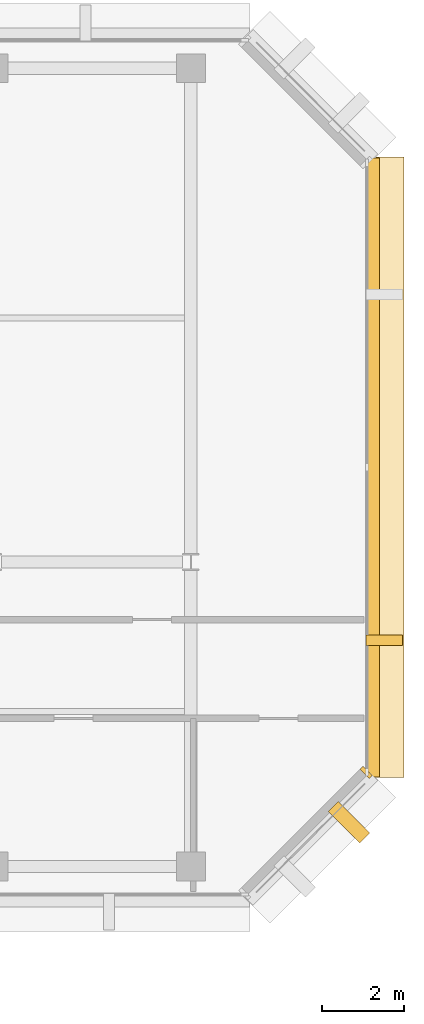
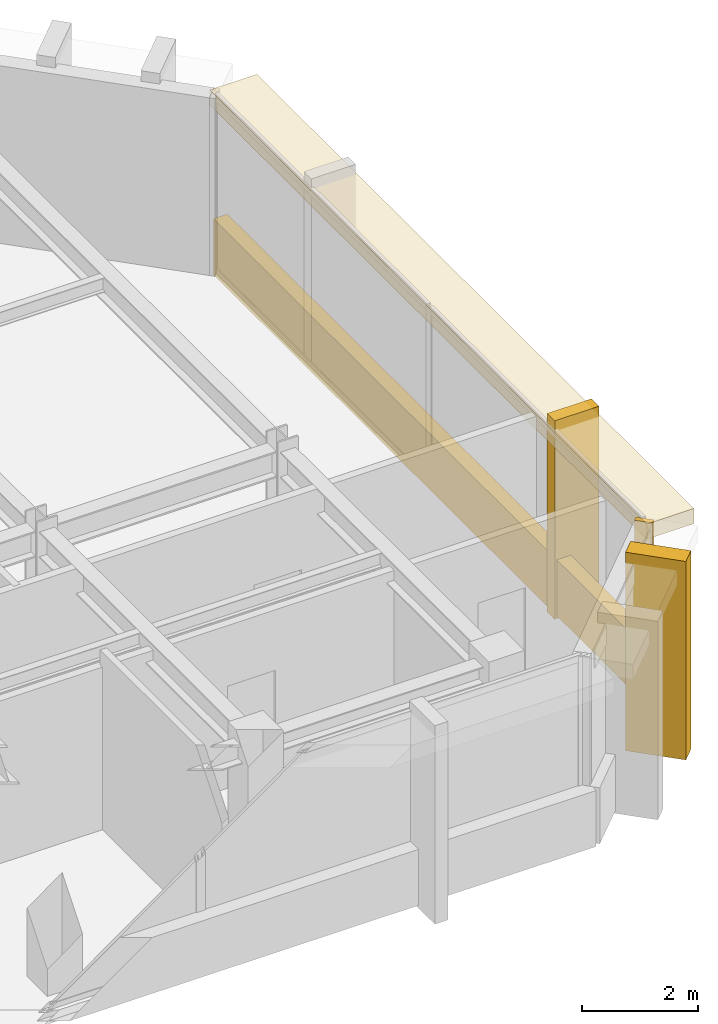
# One storey, part 10 of 12: 5 coverings.
"""IFC4 building model written with IfcOpenShell, lengths in metres."""

from ifc_helpers import new_model, si_unit, direction, frame, origin, origin_2d, place, context, subcontext, project, spatial, rectangle, extrude, material, layer, layer_set, type_object, element, save


model = new_model("IFC4")

# Units and contexts
model_context = context("Model", 3, precision=1e-05, world=origin(), true_north=direction((0.0, 1.0)))
body_context = subcontext(model_context, "Body", "Model", "MODEL_VIEW")
ifc_project = project(units=[si_unit("LENGTHUNIT", "METRE"), si_unit("AREAUNIT", "SQUARE_METRE"), si_unit("VOLUMEUNIT", "CUBIC_METRE"), si_unit("PLANEANGLEUNIT", "RADIAN"), si_unit("MASSUNIT", "GRAM", prefix="KILO")], contexts=[model_context])

# Site, building, storey
site_placement = place(None, origin())
site = spatial("IfcSite", under=ifc_project, at=site_placement, CompositionType="ELEMENT")
building_placement = place(site_placement, origin())
building = spatial("IfcBuilding", under=site, at=building_placement, Name="Kefirva Bronze Tower", CompositionType="ELEMENT")
storey_placement = place(building_placement, frame((0.0, 0.0, 280.169921875)))
storey = spatial("IfcBuildingStorey", under=building, at=storey_placement, Name="L68", CompositionType="ELEMENT", Elevation=280.169921875)

# Coverings
ifc_material = material(Name="Bronze anodised aluminium", Category="aluminium")
ifc_layer_1 = layer(ifc_material, 0.02001953125, Name="Bronze anodised aluminium")
ifc_layer_set_1 = layer_set([ifc_layer_1], Name="Bronze anodised aluminium")
covering_type_1 = type_object("IfcCoveringType", Name="Anodised Bronze Spandrel Cladding 20mm", PredefinedType="CLADDING", material=ifc_layer_set_1)
covering_1_placement = place(storey_placement, frame((44.26220703125, 28.08837890625, 0.0), z_axis=(0.0, 0.0, 1.0), x_axis=(0.707106781187, 0.707106781187, 0.0)))
element("IfcCovering", 1, at=covering_1_placement, inside=storey, type_object=covering_type_1, Name="L68 Facade Joint Closure Panel 7E", PredefinedType="CLADDING", context=body_context, shape_type="SweptSolid", body=[
    extrude(rectangle(XDim=0.10009765625, YDim=0.320068359375, at=origin_2d()), origin(), (0.0, 0.0, 1.0), 3.739990234375),
])
covering_2_placement = place(storey_placement, frame((44.43994140625, 35.5, -0.15966796875), z_axis=(0.0, 0.0, 1.0), x_axis=(0.0, 1.0, 0.0)))
element("IfcCovering", 2, at=covering_2_placement, inside=storey, type_object=covering_type_1, Name="L68 Streamline Horizontal Spandrel Band 10", PredefinedType="CLADDING", context=body_context, shape_type="SweptSolid", body=[
    extrude(rectangle(XDim=15.0400390625, YDim=0.280029296875, at=origin_2d()), origin(), (0.0, 0.0, 1.0), 1.179931640625),
])
ifc_layer_2 = layer(ifc_material, 0.179931640625, Name="Bronze anodised aluminium")
ifc_layer_set_2 = layer_set([ifc_layer_2], Name="Bronze anodised aluminium")
covering_type_2 = type_object("IfcCoveringType", Name="Streamline Bronze Sunshade Eyebrow Cladding 180mm", PredefinedType="CLADDING", material=ifc_layer_set_2)
covering_3_placement = place(storey_placement, frame((44.7099609375, 35.5, 3.419921875), z_axis=(0.0, 0.0, 1.0), x_axis=(0.0, 1.0, 0.0)))
element("IfcCovering", 3, at=covering_3_placement, inside=storey, type_object=covering_type_2, Name="L68 Streamline Bronze Sunshade Eyebrow 10", PredefinedType="CLADDING", context=body_context, shape_type="SweptSolid", body=[
    extrude(rectangle(XDim=15.080078125, YDim=0.93994140625, at=origin_2d()), origin(), (0.0, 0.0, 1.0), 0.320068359375),
])
ifc_layer_3 = layer(ifc_material, 0.260009765625, Name="Bronze anodised aluminium")
ifc_layer_set_3 = layer_set([ifc_layer_3], Name="Bronze anodised aluminium")
covering_type_3 = type_object("IfcCoveringType", Name="Unbroken Bronze Buttress Fin Cladding 260mm", PredefinedType="CLADDING", material=ifc_layer_set_3)
covering_4_placement = place(storey_placement, frame((43.8427734375, 26.877197265625, -0.2197265625), z_axis=(0.0, 0.0, 1.0), x_axis=(0.707106781187, 0.707106781187, 0.0)))
element("IfcCovering", 4, at=covering_4_placement, inside=storey, type_object=covering_type_3, Name="L68 Chamfered Corner Buttress Fin Cladding 12", PredefinedType="CLADDING", context=body_context, shape_type="SweptSolid", body=[
    extrude(rectangle(XDim=0.340087890625, YDim=1.080078125, at=origin_2d()), origin(), (0.0, 0.0, 1.0), 4.179931640625),
])
covering_5_placement = place(storey_placement, frame((44.699951171875, 31.300048828125, -0.2197265625), z_axis=(0.0, 0.0, 1.0), x_axis=(0.0, 1.0, 0.0)))
element("IfcCovering", 5, at=covering_5_placement, inside=storey, type_object=covering_type_3, Name="L68 Unbroken Vertical Bronze Rib Fin 13", PredefinedType="CLADDING", context=body_context, shape_type="SweptSolid", body=[
    extrude(rectangle(XDim=0.260009765625, YDim=0.8798828125, at=origin_2d()), origin(), (0.0, 0.0, 1.0), 4.179931640625),
])

save(model, "model.ifc")
